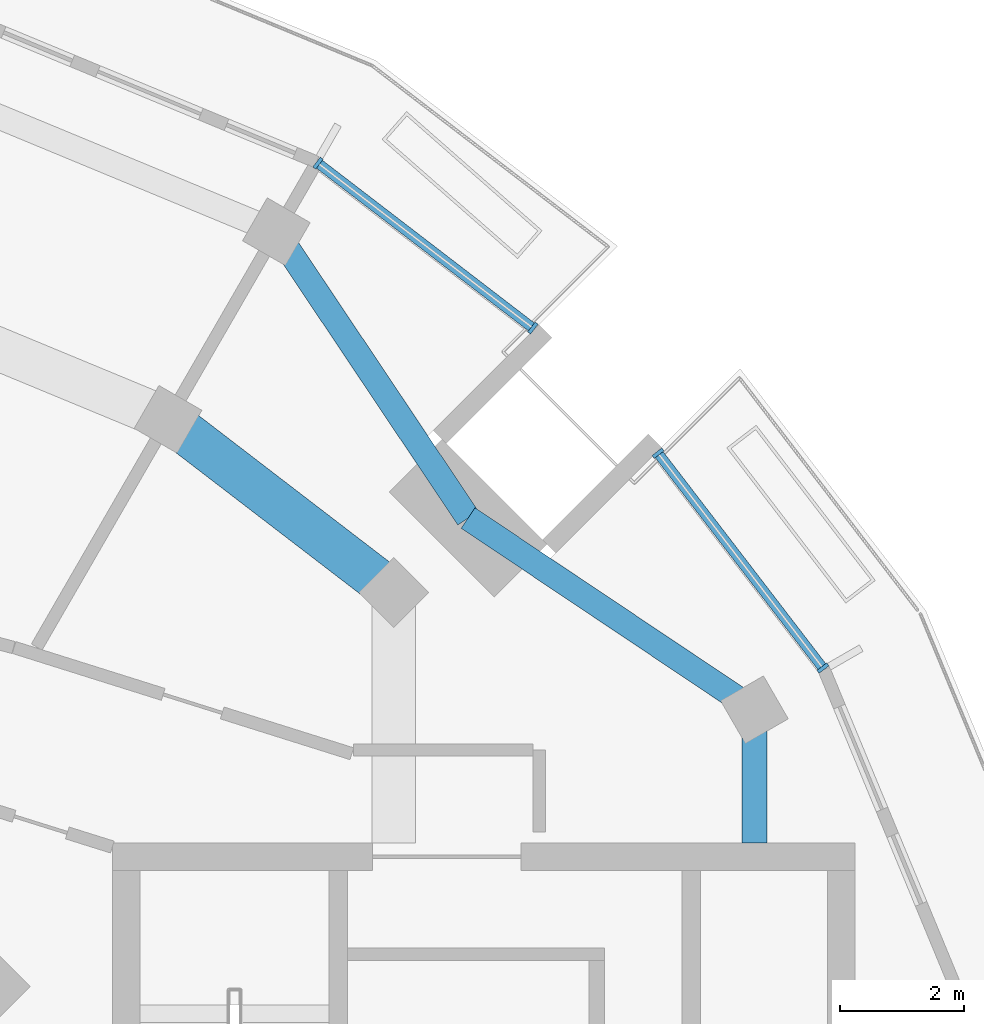
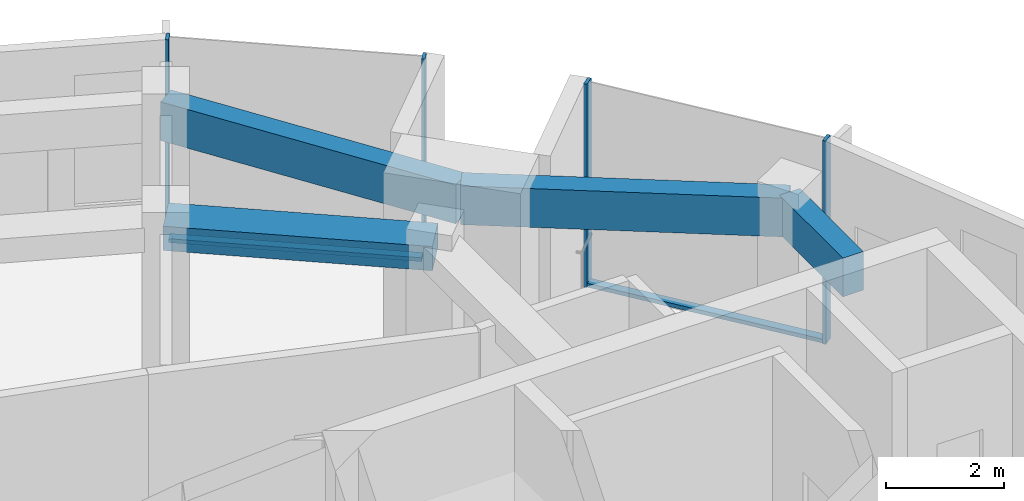
# One storey, part 6 of 16: 6 members, 4 beams, 2 elements without a shape of their own.
"""IFC4 building model written with IfcOpenShell, lengths in metres."""

from ifc_helpers import new_model, si_unit, direction, frame, origin, origin_2d, place, context, subcontext, project, spatial, rectangle, extrude, material, layer, layer_set, material_profile, profile_set, type_object, element, aggregate, save


model = new_model("IFC4")

# Units and contexts
model_context = context("Model", 3, precision=1e-05, world=origin(), true_north=direction((0.0, 1.0)))
body_context = subcontext(model_context, "Body", "Model", "MODEL_VIEW")
ifc_project = project(units=[si_unit("LENGTHUNIT", "METRE"), si_unit("AREAUNIT", "SQUARE_METRE"), si_unit("VOLUMEUNIT", "CUBIC_METRE"), si_unit("PLANEANGLEUNIT", "RADIAN"), si_unit("MASSUNIT", "GRAM", prefix="KILO")], contexts=[model_context])

# Site, building, storey
site_placement = place(None, origin())
site = spatial("IfcSite", under=ifc_project, at=site_placement, CompositionType="ELEMENT")
building_placement = place(site_placement, origin())
building = spatial("IfcBuilding", under=site, at=building_placement, Name="Torre Brocal", CompositionType="ELEMENT")
storey_placement = place(building_placement, frame((0.0, 0.0, 292.5)))
storey = spatial("IfcBuildingStorey", under=building, at=storey_placement, Name="L67", CompositionType="ELEMENT", Elevation=292.5)

# Curtain wall, members
ifc_material_1 = material(Name="Aluminium and glass", Category="aluminium")
ifc_layer = layer(ifc_material_1, 0.199951171875)
ifc_layer_set = layer_set([ifc_layer], Name="Aluminium and glass")
curtain_wall_type = type_object("IfcCurtainWallType", Name="CW-1 CURTAIN WALL 4200 HIGH", PredefinedType="NOTDEFINED", material=ifc_layer_set)
curtain_wall_1_placement = place(storey_placement, origin())
curtain_wall_1 = element("IfcCurtainWall", 1, at=curtain_wall_1_placement, inside=storey, type_object=curtain_wall_type, Name="CW-1 RUN 3", PredefinedType="NOTDEFINED")
ifc_material_2 = material(Name="Aluminium, dark anodised", Category="aluminium")
ifc_material_profile_1 = material_profile(ifc_material_2, rectangle(XDim=0.199951171875, YDim=0.06005859375, at=origin_2d()), Name="CW-1 MULLION 60X200")
ifc_profile_set_1 = profile_set([ifc_material_profile_1], Name="Aluminium, dark anodised")
member_type_1 = type_object("IfcMemberType", Name="CW-1 MULLION 60X200", PredefinedType="MULLION", material=ifc_profile_set_1)
member_1_placement = place(storey_placement, frame((99.3798828125, 86.223388671875, 0.0), z_axis=(0.0, 0.0, 1.0), x_axis=(-0.793353340249, -0.608761429064, 0.0)))
member_1 = element("IfcMember", 2, at=member_1_placement, type_object=member_type_1, Name="CW1-5 mullion 1", PredefinedType="MULLION", context=body_context, shape_type="SweptSolid", body=[
    extrude(rectangle(XDim=0.199951171875, YDim=0.06005859375, at=origin_2d()), origin(), (0.0, 0.0, 1.0), 4.199951171875),
])
member_2_placement = place(storey_placement, frame((96.716552734375, 89.694580078125, 0.0), z_axis=(0.0, 0.0, 1.0), x_axis=(-0.793353340249, -0.608761429064, 0.0)))
member_2 = element("IfcMember", 3, at=member_2_placement, type_object=member_type_1, Name="CW1-5 mullion 2", PredefinedType="MULLION", context=body_context, shape_type="SweptSolid", body=[
    extrude(rectangle(XDim=0.199951171875, YDim=0.06005859375, at=origin_2d()), origin(), (0.0, 0.0, 1.0), 4.199951171875),
])

curtain_wall_2_placement = place(storey_placement, origin())
curtain_wall_2 = element("IfcCurtainWall", 4, at=curtain_wall_2_placement, inside=storey, type_object=curtain_wall_type, Name="CW-1 RUN 4", PredefinedType="NOTDEFINED")
member_3_placement = place(storey_placement, frame((94.694580078125, 91.716552734375, 0.0), z_axis=(0.0, 0.0, 1.0), x_axis=(-0.608761429064, -0.793353340249, 0.0)))
member_3 = element("IfcMember", 5, at=member_3_placement, type_object=member_type_1, Name="CW1-5 mullion 1", PredefinedType="MULLION", context=body_context, shape_type="SweptSolid", body=[
    extrude(rectangle(XDim=0.199951171875, YDim=0.06005859375, at=origin_2d()), origin(), (0.0, 0.0, 1.0), 4.199951171875),
])
member_4_placement = place(storey_placement, frame((91.223388671875, 94.3798828125, 0.0), z_axis=(0.0, 0.0, 1.0), x_axis=(-0.608761429064, -0.793353340249, 0.0)))
member_4 = element("IfcMember", 6, at=member_4_placement, type_object=member_type_1, Name="CW1-5 mullion 2", PredefinedType="MULLION", context=body_context, shape_type="SweptSolid", body=[
    extrude(rectangle(XDim=0.199951171875, YDim=0.06005859375, at=origin_2d()), origin(), (0.0, 0.0, 1.0), 4.199951171875),
])

# Member
ifc_material_3 = material(Name="Aluminium, dark anodised", Category="aluminium")
ifc_material_profile_2 = material_profile(ifc_material_3, rectangle(XDim=0.159912109375, YDim=0.080078125, at=origin_2d()), Name="CW-1 TRANSOM 160X80")
ifc_profile_set_2 = profile_set([ifc_material_profile_2], Name="Aluminium, dark anodised")
member_type_2 = type_object("IfcMemberType", Name="CW-1 TRANSOM 160X80", PredefinedType="USERDEFINED", material=ifc_profile_set_2)
member_5_placement = place(storey_placement, frame((99.36181640625, 86.2470703125, 0.0400390625), z_axis=(-0.608788976677, 0.793332201462, 0.0), x_axis=(-0.793332201462, -0.608788976677, 0.0)))
member_5 = element("IfcMember", 7, at=member_5_placement, type_object=member_type_2, Name="CW1-5 transom 1.1", ObjectType="TRANSOM", PredefinedType="USERDEFINED", context=body_context, shape_type="SweptSolid", body=[
    extrude(rectangle(XDim=0.159912109375, YDim=0.080078125, at=origin_2d()), origin(), (0.0, 0.0, 1.0), 4.3154296875),
])

aggregate(curtain_wall_1, [member_1, member_2, member_5])

member_6_placement = place(storey_placement, frame((94.670654296875, 91.734619140625, 0.0400390625), z_axis=(-0.793332201462, 0.608788976677, 0.0), x_axis=(-0.608788976677, -0.793332201462, 0.0)))
member_6 = element("IfcMember", 8, at=member_6_placement, type_object=member_type_2, Name="CW1-5 transom 1.1", ObjectType="TRANSOM", PredefinedType="USERDEFINED", context=body_context, shape_type="SweptSolid", body=[
    extrude(rectangle(XDim=0.159912109375, YDim=0.080078125, at=origin_2d()), origin(), (0.0, 0.0, 1.0), 4.3154296875),
])

aggregate(curtain_wall_2, [member_3, member_4, member_6])

# Beams
ifc_material_4 = material(Name="Concrete C50", Category="concrete")
ifc_material_profile_3 = material_profile(ifc_material_4, rectangle(XDim=0.699951171875, YDim=0.5, at=origin_2d()), Name="RC 700X500")
ifc_profile_set_3 = profile_set([ifc_material_profile_3], Name="Concrete C50")
beam_type_1 = type_object("IfcBeamType", Name="RC BEAM 700X500 C50 TOP 3880", PredefinedType="BEAM", material=ifc_profile_set_3)
beam_1_placement = place(storey_placement, frame((92.445068359375, 87.445068359375, 3.6298828125), z_axis=(-0.793358265959, 0.6087550097, 0.0), x_axis=(-0.6087550097, -0.793358265959, 0.0)))
element("IfcBeam", 9, at=beam_1_placement, inside=storey, type_object=beam_type_1, Name="Beam BT-37", PredefinedType="BEAM", context=body_context, shape_type="SweptSolid", body=[
    extrude(rectangle(XDim=0.699951171875, YDim=0.5, at=origin_2d()), origin(), (0.0, 0.0, 1.0), 4.594482421875),
])
ifc_material_5 = material(Name="Concrete C50", Category="concrete")
ifc_material_profile_4 = material_profile(ifc_material_5, rectangle(XDim=0.39990234375, YDim=0.800048828125, at=origin_2d()), Name="RC 400X800")
ifc_profile_set_4 = profile_set([ifc_material_profile_4], Name="Concrete C50")
beam_type_2 = type_object("IfcBeamType", Name="RC SPANDREL BEAM 400X800 C50 TOP 3880", PredefinedType="SPANDREL", material=ifc_profile_set_4)
for number, where, z_axis, x_axis, name in (
    (10, (98.273193359375, 85.550048828125, 3.47998046875), (-0.830955689206, 0.556338604247, 0.0), (-0.556338604247, -0.830955689206, 0.0), "Beam BT-47"),
    (11, (93.647216796875, 88.647216796875, 3.47998046875), (-0.556338604247, 0.830955689206, 0.0), (-0.830955689206, -0.556338604247, 0.0), "Beam BT-47"),
):
    element("IfcBeam", number, at=place(storey_placement, frame(where, z_axis=z_axis, x_axis=x_axis)), inside=storey, type_object=beam_type_2, Name=name, PredefinedType="SPANDREL", context=body_context, shape_type="SweptSolid", body=[
        extrude(rectangle(XDim=0.39990234375, YDim=0.800048828125, at=origin_2d()), origin(), (0.0, 0.0, 1.0), 5.567138671875),
    ])
beam_2_placement = place(storey_placement, frame((98.273193359375, 85.550048828125, 3.47998046875), z_axis=(0.0, -1.0, 0.0), x_axis=(1.0, 0.0, 0.0)))
element("IfcBeam", 12, at=beam_2_placement, inside=storey, type_object=beam_type_2, Name="Beam BT-47", PredefinedType="SPANDREL", context=body_context, shape_type="SweptSolid", body=[
    extrude(rectangle(XDim=0.39990234375, YDim=0.800048828125, at=origin_2d()), origin(), (0.0, 0.0, 1.0), 2.150146484375),
])

save(model, "model.ifc")
